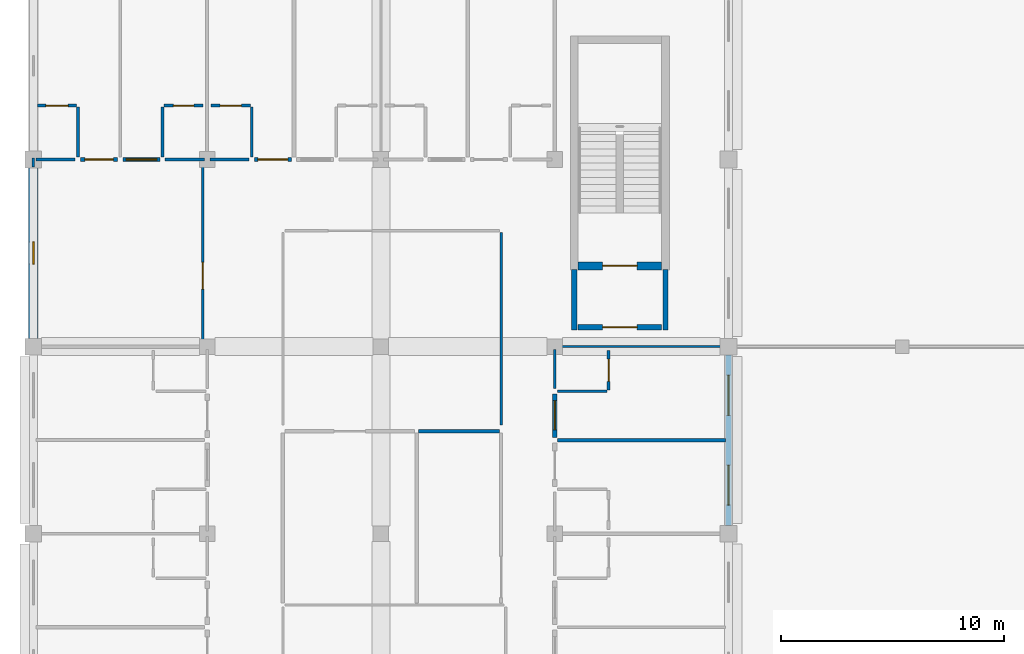
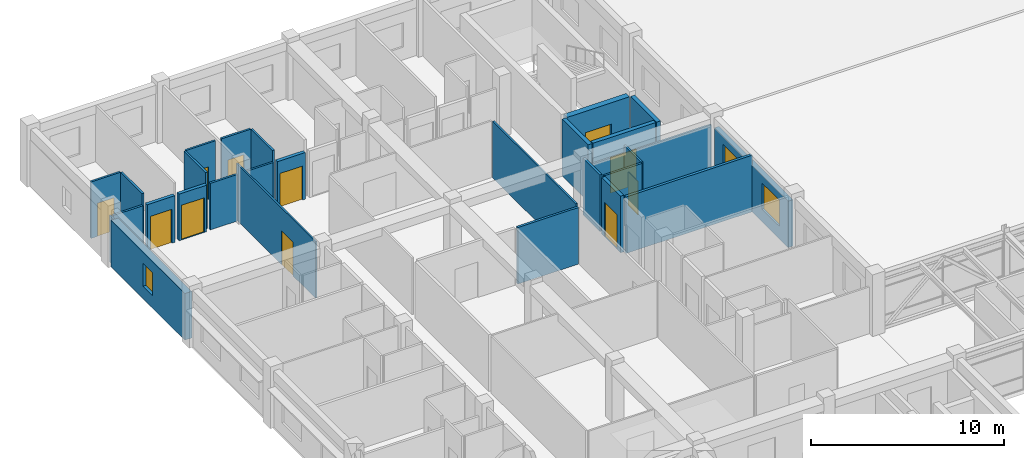
# One storey, part 58 of 72: 28 walls, 11 doors, 3 windows, 14 openings.
"""IFC4 building model written with IfcOpenShell, lengths in metres."""

from ifc_helpers import new_model, si_unit, direction, frame, frame_2d, origin, place, context, subcontext, project, spatial, rectangle, extrude, material, layer, layer_set, type_object, element, fill, save


model = new_model("IFC4")

# Units and contexts
model_context = context("Model", 3, precision=1e-05, world=origin(), true_north=direction((0.0, 1.0)))
body_context = subcontext(model_context, "Body", "Model", "MODEL_VIEW")
ifc_project = project(units=[si_unit("LENGTHUNIT", "METRE"), si_unit("AREAUNIT", "SQUARE_METRE"), si_unit("VOLUMEUNIT", "CUBIC_METRE"), si_unit("PLANEANGLEUNIT", "RADIAN"), si_unit("MASSUNIT", "GRAM", prefix="KILO"), si_unit("THERMODYNAMICTEMPERATUREUNIT", "KELVIN"), si_unit("POWERUNIT", "WATT")], contexts=[model_context])

# Site, building, storey
site_placement = place(None, origin())
site = spatial("IfcSite", under=ifc_project, at=site_placement, CompositionType="ELEMENT")
building_placement = place(site_placement, origin())
building = spatial("IfcBuilding", under=site, at=building_placement, Name="Srebrne Nadtorze General Hospital", CompositionType="ELEMENT")
storey_placement = place(building_placement, frame((0.0, 0.0, 22.199951171875)))
storey = spatial("IfcBuildingStorey", under=building, at=storey_placement, Name="L05", CompositionType="ELEMENT", Elevation=22.199951171875)

# Wall, opening, window
ifc_material_1 = material(Name="Concrete C40/50", Category="concrete")
ifc_layer_1 = layer(ifc_material_1, 0.419921875)
ifc_layer_set_1 = layer_set([ifc_layer_1], Name="Concrete C40/50")
wall_type_1 = type_object("IfcWallType", Name="Acoustic buffer wall 420", PredefinedType="SOLIDWALL", material=ifc_layer_set_1)
wall_1_placement = place(storey_placement, frame((23.39990234375, 75.97509765625, 0.0), z_axis=(0.0, 0.0, 1.0), x_axis=(0.0, 1.0, 0.0)))
wall_1 = element("IfcWall", 1, at=wall_1_placement, inside=storey, type_object=wall_type_1, Name="Exterior wall WL-ENV-L05-0432", PredefinedType="SOLIDWALL", context=body_context, shape_type="SweptSolid", body=[
    extrude(rectangle(XDim=7.64990234375, YDim=0.419921875, at=frame_2d((3.824951171875, 0.0))), origin(), (0.0, 0.0, 1.0), 2.949951171875),
])
opening_1_placement = place(wall_1_placement, frame((3.324951171875, 0.0, 0.800048828125)))
opening_1 = element("IfcOpeningElement", 2, at=opening_1_placement, cuts=wall_1, Name="Opening WN-L05-0693", PredefinedType="OPENING", context=body_context, shape_type="SweptSolid", body=[
    extrude(rectangle(XDim=1.0, YDim=1.449951171875, at=frame_2d((0.5, 0.72509765625))), frame((0.0, 0.221923828125, 0.0), z_axis=(0.0, -1.0, 0.0), x_axis=(1.0, 0.0, 0.0)), (0.0, 0.0, 1.0), 0.44384765625),
])
ifc_material_2 = material(Name="Triple Low-E Glazing", Category="glass")
window_type_1 = type_object("IfcWindowType", Name="Punched clinical window 1000x1450", PartitioningType="SINGLE_PANEL", PredefinedType="WINDOW", material=ifc_material_2)
window_1_placement = place(opening_1_placement, origin())
window_1 = element("IfcWindow", 3, at=window_1_placement, inside=storey, type_object=window_type_1, Name="Clinical window WN-L05-0693", OverallHeight=1.449951171875, OverallWidth=1.0, PartitioningType="SINGLE_PANEL", PredefinedType="WINDOW", context=body_context, shape_type="SweptSolid", body=[
    extrude(rectangle(XDim=1.0, YDim=1.449951171875, at=frame_2d((0.5, 0.72509765625))), frame((0.0, 0.030029296875, 0.0), z_axis=(0.0, -1.0, 0.0), x_axis=(1.0, 0.0, 0.0)), (0.0, 0.0, 1.0), 0.06005859375),
])
fill(opening_1, window_1)

# Walls
ifc_material_3 = material(Name="Gypsum Healthcare Partition")
ifc_layer_2 = layer(ifc_material_3, 0.139892578125)
ifc_layer_set_2 = layer_set([ifc_layer_2], Name="Gypsum Healthcare Partition")
wall_type_2 = type_object("IfcWallType", Name="Clinical partition 140", PredefinedType="PARTITIONING", material=ifc_layer_set_2)
wall_2_placement = place(storey_placement, frame((40.68505859375, 71.800048828125, 0.0), z_axis=(0.0, 0.0, 1.0), x_axis=(1.0, 0.0, 0.0)))
element("IfcWall", 4, at=wall_2_placement, inside=storey, type_object=wall_type_2, Name="Dirty Utility wall WL-INT-L05-2114", PredefinedType="PARTITIONING", context=body_context, shape_type="SweptSolid", body=[
    extrude(rectangle(XDim=3.6298828125, YDim=0.139892578125, at=frame_2d((1.81494140625, 0.0))), origin(), (0.0, 0.0, 1.0), 3.580078125),
])
ifc_material_4 = material(Name="Gypsum Healthcare Partition")
ifc_layer_3 = layer(ifc_material_4, 0.159912109375)
ifc_layer_set_3 = layer_set([ifc_layer_3], Name="Gypsum Healthcare Partition")
wall_type_3 = type_object("IfcWallType", Name="Clinical partition 160", PredefinedType="PARTITIONING", material=ifc_layer_set_3)
wall_3_placement = place(storey_placement, frame((46.919921875, 71.39990234375, 0.0), z_axis=(0.0, 0.0, 1.0), x_axis=(1.0, 0.0, 0.0)))
element("IfcWall", 5, at=wall_3_placement, inside=storey, type_object=wall_type_3, Name="Ward inter-room partition WL-INT-L05-1994", PredefinedType="PARTITIONING", context=body_context, shape_type="SweptSolid", body=[
    extrude(rectangle(XDim=7.56005859375, YDim=0.159912109375, at=frame_2d((3.780029296875, 0.0))), origin(), (0.0, 0.0, 1.0), 3.580078125),
])

# Wall, opening, door
ifc_material_5 = material(Name="Gypsum Healthcare Partition")
ifc_layer_4 = layer(ifc_material_5, 0.199951171875)
ifc_layer_set_4 = layer_set([ifc_layer_4], Name="Gypsum Healthcare Partition")
wall_type_4 = type_object("IfcWallType", Name="Compartment wall 200", PredefinedType="STANDARD", material=ifc_layer_set_4)
wall_4_placement = place(storey_placement, frame((25.52001953125, 84.0, 0.0), z_axis=(0.0, 0.0, 1.0), x_axis=(1.0, 0.0, 0.0)))
wall_4 = element("IfcWall", 6, at=wall_4_placement, inside=storey, type_object=wall_type_4, Name="Ward corridor wall WL-INT-L05-1923", PredefinedType="STANDARD", context=body_context, shape_type="SweptSolid", body=[
    extrude(rectangle(XDim=1.659912109375, YDim=0.199951171875, at=frame_2d((0.830078125, 0.0))), origin(), (0.0, 0.0, 1.0), 2.949951171875),
])
opening_2_placement = place(wall_4_placement, frame((0.18994140625, 0.0, 0.0)))
opening_2 = element("IfcOpeningElement", 7, at=opening_2_placement, cuts=wall_4, Name="Opening D-L05-0374", PredefinedType="OPENING", context=body_context, shape_type="SweptSolid", body=[
    extrude(rectangle(XDim=1.280029296875, YDim=2.14990234375, at=frame_2d((0.64013671875, 1.074951171875))), frame((0.0, 0.11181640625, 0.0), z_axis=(0.0, -1.0, 0.0), x_axis=(1.0, 0.0, 0.0)), (0.0, 0.0, 1.0), 0.223876953125),
])
ifc_material_6 = material(Name="Anodised Aluminium", Category="aluminium")
door_type_1 = type_object("IfcDoorType", Name="Single leaf door 1280x2150", OperationType="NOTDEFINED", PredefinedType="DOOR", material=ifc_material_6)
door_1_placement = place(opening_2_placement, origin())
door_1 = element("IfcDoor", 8, at=door_1_placement, inside=storey, type_object=door_type_1, Name="Ward patient room door D-L05-0374", OperationType="SINGLE_SWING_LEFT", OverallHeight=2.14990234375, OverallWidth=1.280029296875, PredefinedType="DOOR", context=body_context, shape_type="SweptSolid", body=[
    extrude(rectangle(XDim=1.280029296875, YDim=2.14990234375, at=frame_2d((0.64013671875, 1.074951171875))), frame((0.0, 0.02490234375, 0.0), z_axis=(0.0, -1.0, 0.0), x_axis=(1.0, 0.0, 0.0)), (0.0, 0.0, 1.0), 0.050048828125),
])
fill(opening_2, door_1)

wall_5_placement = place(storey_placement, frame((27.419921875, 84.0, 0.0), z_axis=(0.0, 0.0, 1.0), x_axis=(1.0, 0.0, 0.0)))
wall_5 = element("IfcWall", 9, at=wall_5_placement, inside=storey, type_object=wall_type_4, Name="Ward corridor wall WL-INT-L05-1928", PredefinedType="STANDARD", context=body_context, shape_type="SweptSolid", body=[
    extrude(rectangle(XDim=1.66015625, YDim=0.199951171875, at=frame_2d((0.830078125, 0.0))), origin(), (0.0, 0.0, 1.0), 2.949951171875),
])
opening_3_placement = place(wall_5_placement, frame((0.139892578125, 0.0, 0.0)))
opening_3 = element("IfcOpeningElement", 10, at=opening_3_placement, cuts=wall_5, Name="Opening D-L05-0376", PredefinedType="OPENING", context=body_context, shape_type="SweptSolid", body=[
    extrude(rectangle(XDim=1.3798828125, YDim=2.199951171875, at=frame_2d((0.68994140625, 1.10009765625))), frame((0.0, 0.11181640625, 0.0), z_axis=(0.0, -1.0, 0.0), x_axis=(1.0, 0.0, 0.0)), (0.0, 0.0, 1.0), 0.223876953125),
])
ifc_material_7 = material(Name="Anodised Aluminium", Category="aluminium")
door_type_2 = type_object("IfcDoorType", Name="Single leaf door 1380x2200", OperationType="NOTDEFINED", PredefinedType="DOOR", material=ifc_material_7)
door_2_placement = place(opening_3_placement, origin())
door_2 = element("IfcDoor", 11, at=door_2_placement, inside=storey, type_object=door_type_2, Name="Ward patient room door D-L05-0376", OperationType="SINGLE_SWING_LEFT", OverallHeight=2.199951171875, OverallWidth=1.3798828125, PredefinedType="DOOR", context=body_context, shape_type="SweptSolid", body=[
    extrude(rectangle(XDim=1.3798828125, YDim=2.199951171875, at=frame_2d((0.68994140625, 1.10009765625))), frame((0.0, 0.02490234375, 0.0), z_axis=(0.0, -1.0, 0.0), x_axis=(1.0, 0.0, 0.0)), (0.0, 0.0, 1.0), 0.050048828125),
])
fill(opening_3, door_2)

wall_6_placement = place(storey_placement, frame((33.320068359375, 84.0, 0.0), z_axis=(0.0, 0.0, 1.0), x_axis=(1.0, 0.0, 0.0)))
wall_6 = element("IfcWall", 12, at=wall_6_placement, inside=storey, type_object=wall_type_4, Name="Ward corridor wall WL-INT-L05-1933", PredefinedType="STANDARD", context=body_context, shape_type="SweptSolid", body=[
    extrude(rectangle(XDim=1.659912109375, YDim=0.199951171875, at=frame_2d((0.830078125, 0.0))), origin(), (0.0, 0.0, 1.0), 2.949951171875),
])
opening_4_placement = place(wall_6_placement, frame((0.155029296875, 0.0, 0.0)))
opening_4 = element("IfcOpeningElement", 13, at=opening_4_placement, cuts=wall_6, Name="Opening D-L05-0378", PredefinedType="OPENING", context=body_context, shape_type="SweptSolid", body=[
    extrude(rectangle(XDim=1.35009765625, YDim=2.14990234375, at=frame_2d((0.675048828125, 1.074951171875))), frame((0.0, 0.11181640625, 0.0), z_axis=(0.0, -1.0, 0.0), x_axis=(1.0, 0.0, 0.0)), (0.0, 0.0, 1.0), 0.223876953125),
])
ifc_material_8 = material(Name="Anodised Aluminium", Category="aluminium")
door_type_3 = type_object("IfcDoorType", Name="Single leaf door 1350x2150", OperationType="NOTDEFINED", PredefinedType="DOOR", material=ifc_material_8)
door_3_placement = place(opening_4_placement, origin())
door_3 = element("IfcDoor", 14, at=door_3_placement, inside=storey, type_object=door_type_3, Name="Ward patient room door D-L05-0378", OperationType="SINGLE_SWING_LEFT", OverallHeight=2.14990234375, OverallWidth=1.35009765625, PredefinedType="DOOR", context=body_context, shape_type="SweptSolid", body=[
    extrude(rectangle(XDim=1.35009765625, YDim=2.14990234375, at=frame_2d((0.675048828125, 1.074951171875))), frame((0.0, 0.02490234375, 0.0), z_axis=(0.0, -1.0, 0.0), x_axis=(1.0, 0.0, 0.0)), (0.0, 0.0, 1.0), 0.050048828125),
])
fill(opening_4, door_3)

wall_7_placement = place(storey_placement, frame((46.800048828125, 71.52001953125, 0.0), z_axis=(0.0, 0.0, 1.0), x_axis=(0.0, 1.0, 0.0)))
wall_7 = element("IfcWall", 15, at=wall_7_placement, inside=storey, type_object=wall_type_4, Name="Ward corridor wall WL-INT-L05-2000", PredefinedType="STANDARD", context=body_context, shape_type="SweptSolid", body=[
    extrude(rectangle(XDim=1.9599609375, YDim=0.199951171875, at=frame_2d((0.97998046875, 0.0))), origin(), (0.0, 0.0, 1.0), 3.580078125),
])
opening_5_placement = place(wall_7_placement, frame((0.340087890625, 0.0, 0.0)))
opening_5 = element("IfcOpeningElement", 16, at=opening_5_placement, cuts=wall_7, Name="Opening D-L05-0404", PredefinedType="OPENING", context=body_context, shape_type="SweptSolid", body=[
    extrude(rectangle(XDim=1.320068359375, YDim=2.199951171875, at=frame_2d((0.66015625, 1.10009765625))), frame((0.0, 0.11181640625, 0.0), z_axis=(0.0, -1.0, 0.0), x_axis=(1.0, 0.0, 0.0)), (0.0, 0.0, 1.0), 0.223876953125),
])
ifc_material_9 = material(Name="Anodised Aluminium", Category="aluminium")
door_type_4 = type_object("IfcDoorType", Name="Single leaf door 1320x2200", OperationType="NOTDEFINED", PredefinedType="DOOR", material=ifc_material_9)
door_4_placement = place(opening_5_placement, frame((1.320068359375, 0.0, 0.0), z_axis=(0.0, 0.0, 1.0), x_axis=(-1.0, 0.0, 0.0)))
door_4 = element("IfcDoor", 17, at=door_4_placement, inside=storey, type_object=door_type_4, Name="Ward patient room door D-L05-0404", OperationType="SINGLE_SWING_RIGHT", OverallHeight=2.199951171875, OverallWidth=1.320068359375, PredefinedType="DOOR", context=body_context, shape_type="SweptSolid", body=[
    extrude(rectangle(XDim=1.320068359375, YDim=2.199951171875, at=frame_2d((0.66015625, 1.10009765625))), frame((0.0, 0.02490234375, 0.0), z_axis=(0.0, -1.0, 0.0), x_axis=(1.0, 0.0, 0.0)), (0.0, 0.0, 1.0), 0.050048828125),
])
fill(opening_5, door_4)

# Walls
ifc_material_10 = material(Name="Gypsum Healthcare Partition")
ifc_layer_5 = layer(ifc_material_10, 0.239990234375)
ifc_layer_set_5 = layer_set([ifc_layer_5], Name="Gypsum Healthcare Partition")
wall_type_5 = type_object("IfcWallType", Name="Corridor fire wall 240", PredefinedType="STANDARD", material=ifc_layer_set_5)
for number, where, z_axis, x_axis, name in (
    (18, (47.675048828125, 76.35498046875, 0.0), (0.0, 0.0, 1.0), (0.0, 1.0, 0.0), "Fire lobby wall ST-02 WL-INT-L05-0349"),
    (19, (51.77490234375, 76.35498046875, 0.0), (0.0, 0.0, 1.0), (0.0, 1.0, 0.0), "Fire lobby wall ST-02 WL-INT-L05-0350"),
):
    element("IfcWall", number, at=place(storey_placement, frame(where, z_axis=z_axis, x_axis=x_axis)), inside=storey, type_object=wall_type_5, Name=name, PredefinedType="STANDARD", context=body_context, shape_type="SweptSolid", body=[
        extrude(rectangle(XDim=2.695068359375, YDim=0.239990234375, at=frame_2d((1.34765625, 0.0))), origin(), (0.0, 0.0, 1.0), 3.60009765625),
    ])

# Wall, opening, door
wall_8_placement = place(storey_placement, frame((47.85009765625, 76.47509765625, 0.0), z_axis=(0.0, 0.0, 1.0), x_axis=(1.0, 0.0, 0.0)))
wall_8 = element("IfcWall", 20, at=wall_8_placement, inside=storey, type_object=wall_type_5, Name="Fire lobby entry wall ST-02 WL-INT-L05-0351", PredefinedType="STANDARD", context=body_context, shape_type="SweptSolid", body=[
    extrude(rectangle(XDim=3.75, YDim=0.239990234375, at=frame_2d((1.875, 0.0))), origin(), (0.0, 0.0, 1.0), 3.60009765625),
])
opening_6_placement = place(wall_8_placement, frame((1.10009765625, 0.0, 0.0)))
opening_6 = element("IfcOpeningElement", 21, at=opening_6_placement, cuts=wall_8, Name="Opening D-L05-0088", PredefinedType="OPENING", context=body_context, shape_type="SweptSolid", body=[
    extrude(rectangle(XDim=1.550048828125, YDim=2.25, at=frame_2d((0.77490234375, 1.125))), frame((0.0, 0.1318359375, 0.0), z_axis=(0.0, -1.0, 0.0), x_axis=(1.0, 0.0, 0.0)), (0.0, 0.0, 1.0), 0.263916015625),
])
ifc_material_11 = material(Name="Anodised Aluminium", Category="aluminium")
door_type_5 = type_object("IfcDoorType", Name="Double leaf door 1550x2250", OperationType="DOUBLE_DOOR_SINGLE_SWING", PredefinedType="DOOR", material=ifc_material_11)
door_5_placement = place(opening_6_placement, origin())
door_5 = element("IfcDoor", 22, at=door_5_placement, inside=storey, type_object=door_type_5, Name="Fire lobby door ST-02 D-L05-0088", OperationType="DOUBLE_DOOR_SINGLE_SWING", OverallHeight=2.25, OverallWidth=1.550048828125, PredefinedType="DOOR", context=body_context, shape_type="SweptSolid", body=[
    extrude(rectangle(XDim=1.550048828125, YDim=2.25, at=frame_2d((0.77490234375, 1.125))), frame((0.0, 0.02490234375, 0.0), z_axis=(0.0, -1.0, 0.0), x_axis=(1.0, 0.0, 0.0)), (0.0, 0.0, 1.0), 0.050048828125),
])
fill(opening_6, door_5)

# Walls
ifc_material_12 = material(Name="Gypsum Healthcare Partition")
ifc_layer_6 = layer(ifc_material_12, 0.1201171875)
ifc_layer_set_6 = layer_set([ifc_layer_6], Name="Gypsum Healthcare Partition")
wall_type_6 = type_object("IfcWallType", Name="En-suite partition 120", PredefinedType="PARTITIONING", material=ifc_layer_set_6)
wall_9_placement = place(storey_placement, frame((23.52001953125, 84.0, 0.0), z_axis=(0.0, 0.0, 1.0), x_axis=(1.0, 0.0, 0.0)))
element("IfcWall", 23, at=wall_9_placement, inside=storey, type_object=wall_type_6, Name="En-suite corridor wall WL-INT-L05-1924", PredefinedType="PARTITIONING", context=body_context, shape_type="SweptSolid", body=[
    extrude(rectangle(XDim=1.760009765625, YDim=0.1201171875, at=frame_2d((0.8798828125, 0.0))), origin(), (0.0, 0.0, 1.0), 2.949951171875),
])
wall_10_placement = place(storey_placement, frame((25.39990234375, 84.1201171875, 0.0), z_axis=(0.0, 0.0, 1.0), x_axis=(0.0, 1.0, 0.0)))
element("IfcWall", 24, at=wall_10_placement, inside=storey, type_object=wall_type_6, Name="En-suite wet wall WL-INT-L05-1925", PredefinedType="PARTITIONING", context=body_context, shape_type="SweptSolid", body=[
    extrude(rectangle(XDim=2.239990234375, YDim=0.1201171875, at=frame_2d((1.1201171875, 0.0))), origin(), (0.0, 0.0, 1.0), 3.580078125),
])

# Wall, opening, door
wall_11_placement = place(storey_placement, frame((23.580078125, 86.419921875, 0.0), z_axis=(0.0, 0.0, 1.0), x_axis=(1.0, 0.0, 0.0)))
wall_11 = element("IfcWall", 25, at=wall_11_placement, inside=storey, type_object=wall_type_6, Name="En-suite wet wall WL-INT-L05-1926", PredefinedType="PARTITIONING", context=body_context, shape_type="SweptSolid", body=[
    extrude(rectangle(XDim=1.760009765625, YDim=0.1201171875, at=frame_2d((0.8798828125, 0.0))), origin(), (0.0, 0.0, 1.0), 3.580078125),
])
opening_7_placement = place(wall_11_placement, frame((0.3798828125, 0.0, 0.0)))
opening_7 = element("IfcOpeningElement", 26, at=opening_7_placement, cuts=wall_11, Name="Opening D-L05-0375", PredefinedType="OPENING", context=body_context, shape_type="SweptSolid", body=[
    extrude(rectangle(XDim=1.0, YDim=2.10009765625, at=frame_2d((0.5, 1.050048828125))), frame((0.0, 0.072021484375, 0.0), z_axis=(0.0, -1.0, 0.0), x_axis=(1.0, 0.0, 0.0)), (0.0, 0.0, 1.0), 0.14404296875),
])
ifc_material_13 = material(Name="Anodised Aluminium", Category="aluminium")
door_type_6 = type_object("IfcDoorType", Name="Single leaf door 1000x2100", OperationType="NOTDEFINED", PredefinedType="DOOR", material=ifc_material_13)
door_6_placement = place(opening_7_placement, frame((1.0, 0.0, 0.0), z_axis=(0.0, 0.0, 1.0), x_axis=(-1.0, 0.0, 0.0)))
door_6 = element("IfcDoor", 27, at=door_6_placement, inside=storey, type_object=door_type_6, Name="En-suite bathroom door D-L05-0375", OperationType="SINGLE_SWING_LEFT", OverallHeight=2.10009765625, OverallWidth=1.0, PredefinedType="DOOR", context=body_context, shape_type="SweptSolid", body=[
    extrude(rectangle(XDim=1.0, YDim=2.10009765625, at=frame_2d((0.5, 1.050048828125))), frame((0.0, 0.02490234375, 0.0), z_axis=(0.0, -1.0, 0.0), x_axis=(1.0, 0.0, 0.0)), (0.0, 0.0, 1.0), 0.050048828125),
])
fill(opening_7, door_6)

# Walls
wall_12_placement = place(storey_placement, frame((29.320068359375, 84.0, 0.0), z_axis=(0.0, 0.0, 1.0), x_axis=(1.0, 0.0, 0.0)))
element("IfcWall", 28, at=wall_12_placement, inside=storey, type_object=wall_type_6, Name="En-suite corridor wall WL-INT-L05-1929", PredefinedType="PARTITIONING", context=body_context, shape_type="SweptSolid", body=[
    extrude(rectangle(XDim=1.760009765625, YDim=0.1201171875, at=frame_2d((0.8798828125, 0.0))), origin(), (0.0, 0.0, 1.0), 2.949951171875),
])
wall_13_placement = place(storey_placement, frame((29.199951171875, 84.1201171875, 0.0), z_axis=(0.0, 0.0, 1.0), x_axis=(0.0, 1.0, 0.0)))
element("IfcWall", 29, at=wall_13_placement, inside=storey, type_object=wall_type_6, Name="En-suite wet wall WL-INT-L05-1930", PredefinedType="PARTITIONING", context=body_context, shape_type="SweptSolid", body=[
    extrude(rectangle(XDim=2.239990234375, YDim=0.1201171875, at=frame_2d((1.1201171875, 0.0))), origin(), (0.0, 0.0, 1.0), 3.580078125),
])

# Wall, opening, door
wall_14_placement = place(storey_placement, frame((29.260009765625, 86.419921875, 0.0), z_axis=(0.0, 0.0, 1.0), x_axis=(1.0, 0.0, 0.0)))
wall_14 = element("IfcWall", 30, at=wall_14_placement, inside=storey, type_object=wall_type_6, Name="En-suite wet wall WL-INT-L05-1931", PredefinedType="PARTITIONING", context=body_context, shape_type="SweptSolid", body=[
    extrude(rectangle(XDim=1.760009765625, YDim=0.1201171875, at=frame_2d((0.8798828125, 0.0))), origin(), (0.0, 0.0, 1.0), 3.580078125),
])
opening_8_placement = place(wall_14_placement, frame((0.419921875, 0.0, 0.0)))
opening_8 = element("IfcOpeningElement", 31, at=opening_8_placement, cuts=wall_14, Name="Opening D-L05-0377", PredefinedType="OPENING", context=body_context, shape_type="SweptSolid", body=[
    extrude(rectangle(XDim=0.919921875, YDim=2.080078125, at=frame_2d((0.4599609375, 1.0400390625))), frame((0.0, 0.072021484375, 0.0), z_axis=(0.0, -1.0, 0.0), x_axis=(1.0, 0.0, 0.0)), (0.0, 0.0, 1.0), 0.14404296875),
])
ifc_material_14 = material(Name="Anodised Aluminium", Category="aluminium")
door_type_7 = type_object("IfcDoorType", Name="Single leaf door 920x2080", OperationType="NOTDEFINED", PredefinedType="DOOR", material=ifc_material_14)
door_7_placement = place(opening_8_placement, frame((0.919921875, 0.0, 0.0), z_axis=(0.0, 0.0, 1.0), x_axis=(-1.0, 0.0, 0.0)))
door_7 = element("IfcDoor", 32, at=door_7_placement, inside=storey, type_object=door_type_7, Name="En-suite bathroom door D-L05-0377", OperationType="SINGLE_SWING_LEFT", OverallHeight=2.080078125, OverallWidth=0.919921875, PredefinedType="DOOR", context=body_context, shape_type="SweptSolid", body=[
    extrude(rectangle(XDim=0.919921875, YDim=2.080078125, at=frame_2d((0.4599609375, 1.0400390625))), frame((0.0, 0.02490234375, 0.0), z_axis=(0.0, -1.0, 0.0), x_axis=(1.0, 0.0, 0.0)), (0.0, 0.0, 1.0), 0.050048828125),
])
fill(opening_8, door_7)

# Walls
wall_15_placement = place(storey_placement, frame((31.320068359375, 84.0, 0.0), z_axis=(0.0, 0.0, 1.0), x_axis=(1.0, 0.0, 0.0)))
element("IfcWall", 33, at=wall_15_placement, inside=storey, type_object=wall_type_6, Name="En-suite corridor wall WL-INT-L05-1934", PredefinedType="PARTITIONING", context=body_context, shape_type="SweptSolid", body=[
    extrude(rectangle(XDim=1.760009765625, YDim=0.1201171875, at=frame_2d((0.8798828125, 0.0))), origin(), (0.0, 0.0, 1.0), 2.949951171875),
])
wall_16_placement = place(storey_placement, frame((33.199951171875, 84.1201171875, 0.0), z_axis=(0.0, 0.0, 1.0), x_axis=(0.0, 1.0, 0.0)))
element("IfcWall", 34, at=wall_16_placement, inside=storey, type_object=wall_type_6, Name="En-suite wet wall WL-INT-L05-1935", PredefinedType="PARTITIONING", context=body_context, shape_type="SweptSolid", body=[
    extrude(rectangle(XDim=2.239990234375, YDim=0.1201171875, at=frame_2d((1.1201171875, 0.0))), origin(), (0.0, 0.0, 1.0), 3.580078125),
])

# Wall, opening, door
wall_17_placement = place(storey_placement, frame((31.3798828125, 86.419921875, 0.0), z_axis=(0.0, 0.0, 1.0), x_axis=(1.0, 0.0, 0.0)))
wall_17 = element("IfcWall", 35, at=wall_17_placement, inside=storey, type_object=wall_type_6, Name="En-suite wet wall WL-INT-L05-1936", PredefinedType="PARTITIONING", context=body_context, shape_type="SweptSolid", body=[
    extrude(rectangle(XDim=1.760009765625, YDim=0.1201171875, at=frame_2d((0.8798828125, 0.0))), origin(), (0.0, 0.0, 1.0), 3.580078125),
])
opening_9_placement = place(wall_17_placement, frame((0.405029296875, 0.0, 0.0)))
opening_9 = element("IfcOpeningElement", 36, at=opening_9_placement, cuts=wall_17, Name="Opening D-L05-0379", PredefinedType="OPENING", context=body_context, shape_type="SweptSolid", body=[
    extrude(rectangle(XDim=0.949951171875, YDim=2.10009765625, at=frame_2d((0.47509765625, 1.050048828125))), frame((0.0, 0.072021484375, 0.0), z_axis=(0.0, -1.0, 0.0), x_axis=(1.0, 0.0, 0.0)), (0.0, 0.0, 1.0), 0.14404296875),
])
ifc_material_15 = material(Name="Anodised Aluminium", Category="aluminium")
door_type_8 = type_object("IfcDoorType", Name="Single leaf door 950x2100", OperationType="NOTDEFINED", PredefinedType="DOOR", material=ifc_material_15)
door_8_placement = place(opening_9_placement, frame((0.949951171875, 0.0, 0.0), z_axis=(0.0, 0.0, 1.0), x_axis=(-1.0, 0.0, 0.0)))
door_8 = element("IfcDoor", 37, at=door_8_placement, inside=storey, type_object=door_type_8, Name="En-suite bathroom door D-L05-0379", OperationType="SINGLE_SWING_LEFT", OverallHeight=2.10009765625, OverallWidth=0.949951171875, PredefinedType="DOOR", context=body_context, shape_type="SweptSolid", body=[
    extrude(rectangle(XDim=0.949951171875, YDim=2.10009765625, at=frame_2d((0.47509765625, 1.050048828125))), frame((0.0, 0.02490234375, 0.0), z_axis=(0.0, -1.0, 0.0), x_axis=(1.0, 0.0, 0.0)), (0.0, 0.0, 1.0), 0.050048828125),
])
fill(opening_9, door_8)

# Walls
wall_18_placement = place(storey_placement, frame((46.800048828125, 73.719970703125, 0.0), z_axis=(0.0, 0.0, 1.0), x_axis=(0.0, 1.0, 0.0)))
element("IfcWall", 38, at=wall_18_placement, inside=storey, type_object=wall_type_6, Name="En-suite corridor wall WL-INT-L05-2001", PredefinedType="PARTITIONING", context=body_context, shape_type="SweptSolid", body=[
    extrude(rectangle(XDim=1.760009765625, YDim=0.1201171875, at=frame_2d((0.8798828125, 0.0))), origin(), (0.0, 0.0, 1.0), 3.580078125),
])
wall_19_placement = place(storey_placement, frame((46.919921875, 73.60009765625, 0.0), z_axis=(0.0, 0.0, 1.0), x_axis=(1.0, 0.0, 0.0)))
element("IfcWall", 39, at=wall_19_placement, inside=storey, type_object=wall_type_6, Name="En-suite wet wall WL-INT-L05-2002", PredefinedType="PARTITIONING", context=body_context, shape_type="SweptSolid", body=[
    extrude(rectangle(XDim=2.239990234375, YDim=0.1201171875, at=frame_2d((1.1201171875, 0.0))), origin(), (0.0, 0.0, 1.0), 3.580078125),
])

# Wall, opening, door
wall_20_placement = place(storey_placement, frame((49.219970703125, 73.659912109375, 0.0), z_axis=(0.0, 0.0, 1.0), x_axis=(0.0, 1.0, 0.0)))
wall_20 = element("IfcWall", 40, at=wall_20_placement, inside=storey, type_object=wall_type_6, Name="En-suite wet wall WL-INT-L05-2003", PredefinedType="PARTITIONING", context=body_context, shape_type="SweptSolid", body=[
    extrude(rectangle(XDim=1.760009765625, YDim=0.1201171875, at=frame_2d((0.8798828125, 0.0))), origin(), (0.0, 0.0, 1.0), 3.580078125),
])
opening_10_placement = place(wall_20_placement, frame((0.3798828125, 0.0, 0.0)))
opening_10 = element("IfcOpeningElement", 41, at=opening_10_placement, cuts=wall_20, Name="Opening D-L05-0405", PredefinedType="OPENING", context=body_context, shape_type="SweptSolid", body=[
    extrude(rectangle(XDim=1.0, YDim=2.10009765625, at=frame_2d((0.5, 1.050048828125))), frame((0.0, 0.072021484375, 0.0), z_axis=(0.0, -1.0, 0.0), x_axis=(1.0, 0.0, 0.0)), (0.0, 0.0, 1.0), 0.14404296875),
])
door_9_placement = place(opening_10_placement, origin())
door_9 = element("IfcDoor", 42, at=door_9_placement, inside=storey, type_object=door_type_6, Name="En-suite bathroom door D-L05-0405", OperationType="SINGLE_SWING_LEFT", OverallHeight=2.10009765625, OverallWidth=1.0, PredefinedType="DOOR", context=body_context, shape_type="SweptSolid", body=[
    extrude(rectangle(XDim=1.0, YDim=2.10009765625, at=frame_2d((0.5, 1.050048828125))), frame((0.0, 0.02490234375, 0.0), z_axis=(0.0, -1.0, 0.0), x_axis=(1.0, 0.0, 0.0)), (0.0, 0.0, 1.0), 0.050048828125),
])
fill(opening_10, door_9)

# Walls
ifc_material_16 = material(Name="Gypsum Healthcare Partition")
ifc_layer_7 = layer(ifc_material_16, 0.10009765625)
ifc_layer_set_7 = layer_set([ifc_layer_7], Name="Gypsum Healthcare Partition")
wall_type_7 = type_object("IfcWallType", Name="Shaft lining wall 100", PredefinedType="PARTITIONING", material=ifc_layer_set_7)
wall_21_placement = place(storey_placement, frame((46.919921875, 75.60009765625, 0.0), z_axis=(0.0, 0.0, 1.0), x_axis=(1.0, 0.0, 0.0)))
element("IfcWall", 43, at=wall_21_placement, inside=storey, type_object=wall_type_7, Name="Ward inter-room partition WL-INT-L05-1999", PredefinedType="PARTITIONING", context=body_context, shape_type="SweptSolid", body=[
    extrude(rectangle(XDim=7.56005859375, YDim=0.10009765625, at=frame_2d((3.780029296875, 0.0))), origin(), (0.0, 0.0, 1.0), 2.949951171875),
])
wall_22_placement = place(storey_placement, frame((44.39990234375, 72.0849609375, 0.0), z_axis=(0.0, 0.0, 1.0), x_axis=(0.0, 1.0, 0.0)))
element("IfcWall", 44, at=wall_22_placement, inside=storey, type_object=wall_type_7, Name="Neuro-Rehabilitation Gait Room wall WL-INT-L05-2117", PredefinedType="PARTITIONING", context=body_context, shape_type="SweptSolid", body=[
    extrude(rectangle(XDim=8.630126953125, YDim=0.10009765625, at=frame_2d((4.31494140625, 0.0))), origin(), (0.0, 0.0, 1.0), 3.580078125),
])

# Wall, opening, door
wall_23_placement = place(storey_placement, frame((31.0, 75.885009765625, 0.0), z_axis=(0.0, 0.0, 1.0), x_axis=(0.0, 1.0, 0.0)))
wall_23 = element("IfcWall", 45, at=wall_23_placement, inside=storey, type_object=wall_type_7, Name="Inpatient Sub-Acute Assessment Ward wall WL-INT-L05-2125", PredefinedType="PARTITIONING", context=body_context, shape_type="SweptSolid", body=[
    extrude(rectangle(XDim=8.179931640625, YDim=0.10009765625, at=frame_2d((4.08984375, 0.0))), origin(), (0.0, 0.0, 1.0), 3.580078125),
])
opening_11_placement = place(wall_23_placement, frame((2.29638671875, 0.0, 0.0)))
opening_11 = element("IfcOpeningElement", 46, at=opening_11_placement, cuts=wall_23, Name="Opening D-L05-0452", PredefinedType="OPENING", context=body_context, shape_type="SweptSolid", body=[
    extrude(rectangle(XDim=1.199951171875, YDim=2.14990234375, at=frame_2d((0.60009765625, 1.074951171875))), frame((0.0, 0.06201171875, 0.0), z_axis=(0.0, -1.0, 0.0), x_axis=(1.0, 0.0, 0.0)), (0.0, 0.0, 1.0), 0.1240234375),
])
ifc_material_17 = material(Name="Anodised Aluminium", Category="aluminium")
door_type_9 = type_object("IfcDoorType", Name="Single leaf door 1200x2150", OperationType="NOTDEFINED", PredefinedType="DOOR", material=ifc_material_17)
door_10_placement = place(opening_11_placement, origin())
door_10 = element("IfcDoor", 47, at=door_10_placement, inside=storey, type_object=door_type_9, Name="Inpatient Sub-Acute Assessment Ward door D-L05-0452", OperationType="SINGLE_SWING_LEFT", OverallHeight=2.14990234375, OverallWidth=1.199951171875, PredefinedType="DOOR", context=body_context, shape_type="SweptSolid", body=[
    extrude(rectangle(XDim=1.199951171875, YDim=2.14990234375, at=frame_2d((0.60009765625, 1.074951171875))), frame((0.0, 0.02490234375, 0.0), z_axis=(0.0, -1.0, 0.0), x_axis=(1.0, 0.0, 0.0)), (0.0, 0.0, 1.0), 0.050048828125),
])
fill(opening_11, door_10)

# Wall
wall_24_placement = place(storey_placement, frame((23.39990234375, 83.6650390625, 0.0), z_axis=(0.0, 0.0, 1.0), x_axis=(0.0, 1.0, 0.0)))
element("IfcWall", 48, at=wall_24_placement, inside=storey, type_object=wall_type_7, Name="Inpatient Sub-Acute Assessment Ward wall WL-INT-L05-2126", PredefinedType="PARTITIONING", context=body_context, shape_type="SweptSolid", body=[
    extrude(rectangle(XDim=0.39990234375, YDim=0.10009765625, at=frame_2d((0.199951171875, 0.0))), origin(), (0.0, 0.0, 1.0), 2.949951171875),
])

# Wall, opening, door
ifc_material_18 = material(Name="Concrete C40/50", Category="concrete")
ifc_layer_8 = layer(ifc_material_18, 0.35009765625)
ifc_layer_set_8 = layer_set([ifc_layer_8], Name="Concrete C40/50")
wall_type_8 = type_object("IfcWallType", Name="Shear core wall 350", PredefinedType="SHEAR", material=ifc_layer_set_8)
wall_25_placement = place(storey_placement, frame((47.85009765625, 79.22509765625, 0.0), z_axis=(0.0, 0.0, 1.0), x_axis=(1.0, 0.0, 0.0)))
wall_25 = element("IfcWall", 49, at=wall_25_placement, inside=storey, type_object=wall_type_8, Name="Stairwell fire wall ST-02 WL-INT-L05-0348", PredefinedType="SHEAR", context=body_context, shape_type="SweptSolid", body=[
    extrude(rectangle(XDim=3.75, YDim=0.35009765625, at=frame_2d((1.875, 0.0))), origin(), (0.0, 0.0, 1.0), 3.60009765625),
])
opening_12_placement = place(wall_25_placement, frame((1.10009765625, 0.0, 0.0)))
opening_12 = element("IfcOpeningElement", 50, at=opening_12_placement, cuts=wall_25, Name="Opening D-L05-0087", PredefinedType="OPENING", context=body_context, shape_type="SweptSolid", body=[
    extrude(rectangle(XDim=1.550048828125, YDim=2.25, at=frame_2d((0.77490234375, 1.125))), frame((0.0, 0.18701171875, 0.0), z_axis=(0.0, -1.0, 0.0), x_axis=(1.0, 0.0, 0.0)), (0.0, 0.0, 1.0), 0.3740234375),
])
door_11_placement = place(opening_12_placement, origin())
door_11 = element("IfcDoor", 51, at=door_11_placement, inside=storey, type_object=door_type_5, Name="Protected stair door ST-02 D-L05-0087", OperationType="DOUBLE_DOOR_SINGLE_SWING", OverallHeight=2.25, OverallWidth=1.550048828125, PredefinedType="DOOR", context=body_context, shape_type="SweptSolid", body=[
    extrude(rectangle(XDim=1.550048828125, YDim=2.25, at=frame_2d((0.77490234375, 1.125))), frame((0.0, 0.02490234375, 0.0), z_axis=(0.0, -1.0, 0.0), x_axis=(1.0, 0.0, 0.0)), (0.0, 0.0, 1.0), 0.050048828125),
])
fill(opening_12, door_11)

# Wall, openings, windows
ifc_material_19 = material(Name="Concrete C35/45 precast", Category="concrete")
ifc_layer_9 = layer(ifc_material_19, 0.280029296875)
ifc_layer_set_9 = layer_set([ifc_layer_9], Name="Concrete C35/45 precast")
wall_type_9 = type_object("IfcWallType", Name="Spandrel wall 280", PredefinedType="STANDARD", material=ifc_layer_set_9)
wall_26_placement = place(storey_placement, frame((54.60009765625, 67.574951171875, 0.0), z_axis=(0.0, 0.0, 1.0), x_axis=(0.0, 1.0, 0.0)))
wall_26 = element("IfcWall", 52, at=wall_26_placement, inside=storey, type_object=wall_type_9, Name="Exterior wall WL-ENV-L05-0438", PredefinedType="STANDARD", context=body_context, shape_type="SweptSolid", body=[
    extrude(rectangle(XDim=7.650146484375, YDim=0.280029296875, at=frame_2d((3.8251953125, 0.0))), origin(), (0.0, 0.0, 1.0), 2.949951171875),
])
opening_13_placement = place(wall_26_placement, frame((0.908935546875, 0.0, 0.800048828125)))
opening_13 = element("IfcOpeningElement", 53, at=opening_13_placement, cuts=wall_26, Name="Opening WN-L05-0703", PredefinedType="OPENING", context=body_context, shape_type="SweptSolid", body=[
    extrude(rectangle(XDim=1.800048828125, YDim=1.64990234375, at=frame_2d((0.89990234375, 0.824951171875))), frame((0.0, 0.15185546875, 0.0), z_axis=(0.0, -1.0, 0.0), x_axis=(1.0, 0.0, 0.0)), (0.0, 0.0, 1.0), 0.303955078125),
])
opening_14_placement = place(wall_26_placement, frame((4.94091796875, 0.0, 0.800048828125)))
opening_14 = element("IfcOpeningElement", 54, at=opening_14_placement, cuts=wall_26, Name="Opening WN-L05-0704", PredefinedType="OPENING", context=body_context, shape_type="SweptSolid", body=[
    extrude(rectangle(XDim=1.800048828125, YDim=1.64990234375, at=frame_2d((0.89990234375, 0.824951171875))), frame((0.0, 0.15185546875, 0.0), z_axis=(0.0, -1.0, 0.0), x_axis=(1.0, 0.0, 0.0)), (0.0, 0.0, 1.0), 0.303955078125),
])
ifc_material_20 = material(Name="Triple Low-E Glazing", Category="glass")
window_type_2 = type_object("IfcWindowType", Name="Punched clinical window 1800x1650", PartitioningType="DOUBLE_PANEL_VERTICAL", PredefinedType="WINDOW", material=ifc_material_20)
window_2_placement = place(opening_13_placement, origin())
window_2 = element("IfcWindow", 55, at=window_2_placement, inside=storey, type_object=window_type_2, Name="Clinical window WN-L05-0703", OverallHeight=1.64990234375, OverallWidth=1.800048828125, PartitioningType="DOUBLE_PANEL_VERTICAL", PredefinedType="WINDOW", context=body_context, shape_type="SweptSolid", body=[
    extrude(rectangle(XDim=1.800048828125, YDim=1.64990234375, at=frame_2d((0.89990234375, 0.824951171875))), frame((0.0, 0.030029296875, 0.0), z_axis=(0.0, -1.0, 0.0), x_axis=(1.0, 0.0, 0.0)), (0.0, 0.0, 1.0), 0.06005859375),
])
fill(opening_13, window_2)
window_3_placement = place(opening_14_placement, origin())
window_3 = element("IfcWindow", 56, at=window_3_placement, inside=storey, type_object=window_type_2, Name="Clinical window WN-L05-0704", OverallHeight=1.64990234375, OverallWidth=1.800048828125, PartitioningType="DOUBLE_PANEL_VERTICAL", PredefinedType="WINDOW", context=body_context, shape_type="SweptSolid", body=[
    extrude(rectangle(XDim=1.800048828125, YDim=1.64990234375, at=frame_2d((0.89990234375, 0.824951171875))), frame((0.0, 0.030029296875, 0.0), z_axis=(0.0, -1.0, 0.0), x_axis=(1.0, 0.0, 0.0)), (0.0, 0.0, 1.0), 0.06005859375),
])
fill(opening_14, window_3)

save(model, "model.ifc")
